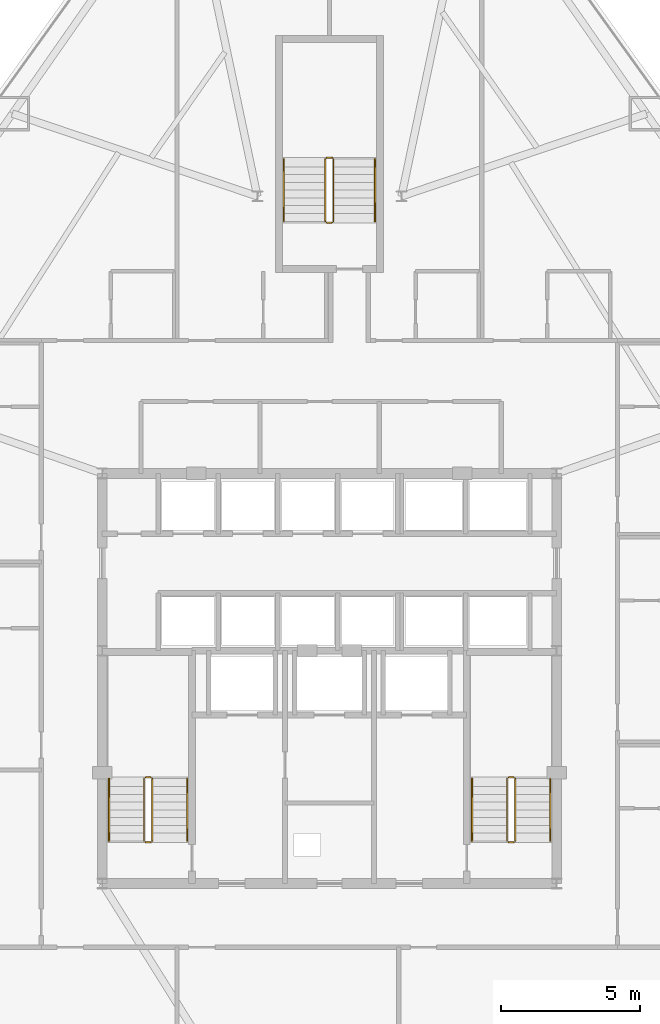
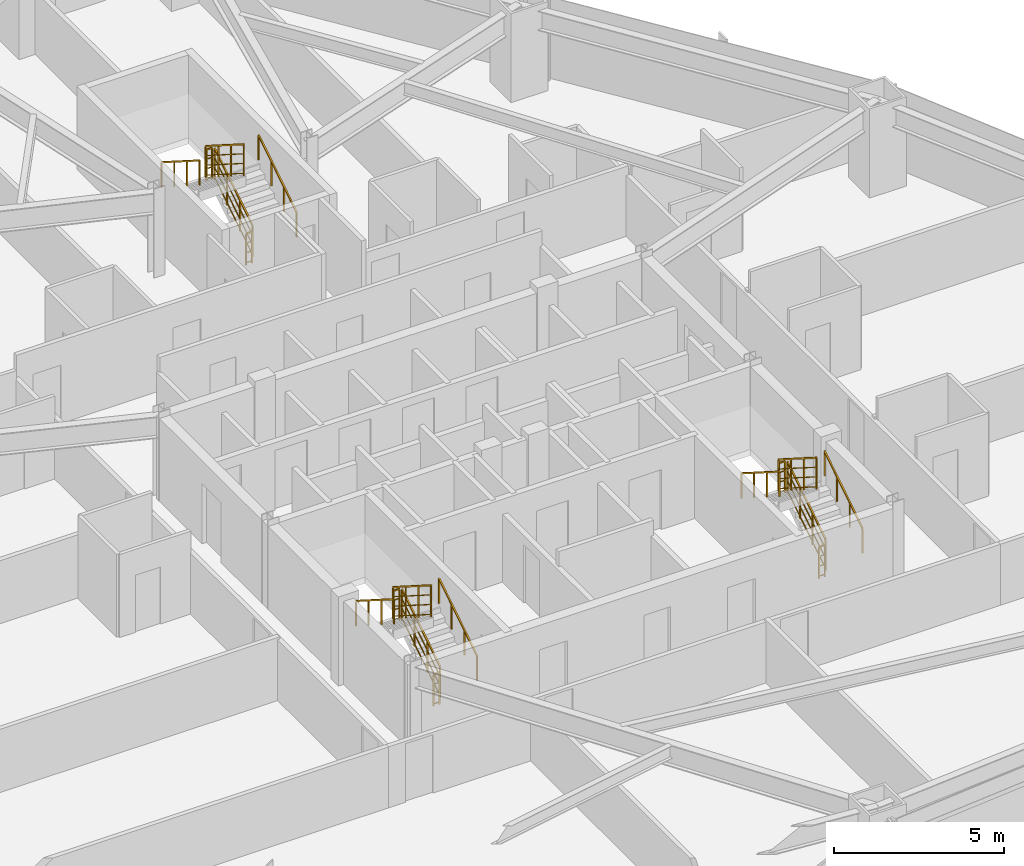
# One storey, part 12 of 12: 18 railings.
"""IFC4 building model written with IfcOpenShell, lengths in metres."""

from ifc_helpers import new_model, si_unit, direction, frame, origin, origin_2d, place, context, subcontext, project, spatial, rectangle, extrude, material, type_object, element, save


model = new_model("IFC4")

# Units and contexts
model_context = context("Model", 3, precision=1e-05, world=origin(), true_north=direction((0.0, 1.0)))
body_context = subcontext(model_context, "Body", "Model", "MODEL_VIEW")
ifc_project = project(units=[si_unit("LENGTHUNIT", "METRE"), si_unit("AREAUNIT", "SQUARE_METRE"), si_unit("VOLUMEUNIT", "CUBIC_METRE"), si_unit("PLANEANGLEUNIT", "RADIAN"), si_unit("MASSUNIT", "GRAM", prefix="KILO")], contexts=[model_context])

# Site, building, storey
site_placement = place(None, origin())
site = spatial("IfcSite", under=ifc_project, at=site_placement, CompositionType="ELEMENT")
building_placement = place(site_placement, origin())
building = spatial("IfcBuilding", under=site, at=building_placement, Name="Varakhsha Concourse Tower", CompositionType="ELEMENT")
storey_placement = place(building_placement, frame((0.0, 0.0, 33.60009765625)))
storey = spatial("IfcBuildingStorey", under=building, at=storey_placement, Name="L08", CompositionType="ELEMENT", Elevation=33.60009765625)

# Railings
ifc_material = material(Name="Brushed Austenitic Stainless Steel AISI 316", Category="steel")
railing_type_1 = type_object("IfcRailingType", Name="RL-STAIR-GUARD-1100", PredefinedType="GUARDRAIL", material=ifc_material)
railing_1_placement = place(storey_placement, frame((33.610107421875, 17.93994140625, 0.177734375)))
element("IfcRailing", 1, at=railing_1_placement, inside=storey, type_object=railing_type_1, Name="L08 ST1 stair guard 1", PredefinedType="GUARDRAIL", context=body_context, shape_type="SweptSolid", body=[
    extrude(rectangle(XDim=0.048095703125, YDim=0.048095703125, at=origin_2d()), frame((0.0, 0.0, 1.1259765625), z_axis=(0.0, 0.8442293374, 0.53598211339), x_axis=(-1.0, 0.0, 0.0)), (0.0, 0.0, 1.0), 2.6533203125),
    extrude(rectangle(XDim=0.028076171875, YDim=0.028076171875, at=origin_2d()), frame((0.0, 0.0, 0.080078125), z_axis=(0.0, 0.8442293374, 0.53598211339), x_axis=(-1.0, 0.0, 0.0)), (0.0, 0.0, 1.0), 2.6533203125),
    extrude(rectangle(XDim=0.028076171875, YDim=0.028076171875, at=origin_2d()), frame((0.0, 0.0, 0.43701171875), z_axis=(0.0, 0.8442293374, 0.53598211339), x_axis=(-1.0, 0.0, 0.0)), (0.0, 0.0, 1.0), 2.6533203125),
    extrude(rectangle(XDim=0.028076171875, YDim=0.028076171875, at=origin_2d()), frame((0.0, 0.0, 0.781982421875), z_axis=(0.0, 0.8442293374, 0.53598211339), x_axis=(-1.0, 0.0, 0.0)), (0.0, 0.0, 1.0), 2.6533203125),
    extrude(rectangle(XDim=0.0419921875, YDim=0.0419921875, at=origin_2d()), origin(), (0.0, 0.0, 1.0), 1.101806640625),
    extrude(rectangle(XDim=0.0419921875, YDim=0.0419921875, at=origin_2d()), frame((0.0, 0.74658203125, 0.47412109375)), (0.0, 0.0, 1.0), 1.101806640625),
    extrude(rectangle(XDim=0.0419921875, YDim=0.0419921875, at=origin_2d()), frame((0.0, 1.493408203125, 0.947998046875)), (0.0, 0.0, 1.0), 1.101806640625),
    extrude(rectangle(XDim=0.0419921875, YDim=0.0419921875, at=origin_2d()), frame((0.0, 2.239990234375, 1.422119140625)), (0.0, 0.0, 1.0), 1.101806640625),
])
railing_2_placement = place(storey_placement, frame((33.56005859375, 20.22998046875, 1.599853515625)))
element("IfcRailing", 2, at=railing_2_placement, inside=storey, type_object=railing_type_1, Name="L08 ST1 stair guard 2", PredefinedType="GUARDRAIL", context=body_context, shape_type="SweptSolid", body=[
    extrude(rectangle(XDim=0.048095703125, YDim=0.048095703125, at=origin_2d()), frame((0.0, 0.0, 1.1259765625), z_axis=(-1.0, 0.0, 0.0), x_axis=(0.0, -1.0, 0.0)), (0.0, 0.0, 1.0), 0.199951171875),
    extrude(rectangle(XDim=0.028076171875, YDim=0.028076171875, at=origin_2d()), frame((0.0, 0.0, 0.080078125), z_axis=(-1.0, 0.0, 0.0), x_axis=(0.0, -1.0, 0.0)), (0.0, 0.0, 1.0), 0.199951171875),
    extrude(rectangle(XDim=0.028076171875, YDim=0.028076171875, at=origin_2d()), frame((0.0, 0.0, 0.43701171875), z_axis=(-1.0, 0.0, 0.0), x_axis=(0.0, -1.0, 0.0)), (0.0, 0.0, 1.0), 0.199951171875),
    extrude(rectangle(XDim=0.028076171875, YDim=0.028076171875, at=origin_2d()), frame((0.0, 0.0, 0.781982421875), z_axis=(-1.0, 0.0, 0.0), x_axis=(0.0, -1.0, 0.0)), (0.0, 0.0, 1.0), 0.199951171875),
    extrude(rectangle(XDim=0.0419921875, YDim=0.0419921875, at=origin_2d()), origin(), (0.0, 0.0, 1.0), 1.101806640625),
    extrude(rectangle(XDim=0.0419921875, YDim=0.0419921875, at=origin_2d()), frame((-0.199951171875, 0.0, 0.0)), (0.0, 0.0, 1.0), 1.101806640625),
])
railing_3_placement = place(storey_placement, frame((33.31005859375, 20.179931640625, 1.777587890625)))
element("IfcRailing", 3, at=railing_3_placement, inside=storey, type_object=railing_type_1, Name="L08 ST1 stair guard 3", PredefinedType="GUARDRAIL", context=body_context, shape_type="SweptSolid", body=[
    extrude(rectangle(XDim=0.048095703125, YDim=0.048095703125, at=origin_2d()), frame((0.0, 0.0, 1.1259765625), z_axis=(0.0, -0.84418770128, 0.536047689118), x_axis=(1.0, 0.0, 0.0)), (0.0, 0.0, 1.0), 2.6533203125),
    extrude(rectangle(XDim=0.028076171875, YDim=0.028076171875, at=origin_2d()), frame((0.0, 0.0, 0.080078125), z_axis=(0.0, -0.84418770128, 0.536047689118), x_axis=(1.0, 0.0, 0.0)), (0.0, 0.0, 1.0), 2.6533203125),
    extrude(rectangle(XDim=0.028076171875, YDim=0.028076171875, at=origin_2d()), frame((0.0, 0.0, 0.43701171875), z_axis=(0.0, -0.84418770128, 0.536047689118), x_axis=(1.0, 0.0, 0.0)), (0.0, 0.0, 1.0), 2.6533203125),
    extrude(rectangle(XDim=0.028076171875, YDim=0.028076171875, at=origin_2d()), frame((0.0, 0.0, 0.781982421875), z_axis=(0.0, -0.84418770128, 0.536047689118), x_axis=(1.0, 0.0, 0.0)), (0.0, 0.0, 1.0), 2.6533203125),
    extrude(rectangle(XDim=0.0419921875, YDim=0.0419921875, at=origin_2d()), origin(), (0.0, 0.0, 1.0), 1.101806640625),
    extrude(rectangle(XDim=0.0419921875, YDim=0.0419921875, at=origin_2d()), frame((0.0, -0.74658203125, 0.47412109375)), (0.0, 0.0, 1.0), 1.101806640625),
    extrude(rectangle(XDim=0.0419921875, YDim=0.0419921875, at=origin_2d()), frame((0.0, -1.493408203125, 0.9482421875)), (0.0, 0.0, 1.0), 1.101806640625),
    extrude(rectangle(XDim=0.0419921875, YDim=0.0419921875, at=origin_2d()), frame((0.0, -2.239990234375, 1.42236328125)), (0.0, 0.0, 1.0), 1.101806640625),
])
railing_4_placement = place(storey_placement, frame((33.56005859375, 17.889892578125, 0.0)))
element("IfcRailing", 4, at=railing_4_placement, inside=storey, type_object=railing_type_1, Name="L08 ST1 stair guard 4", PredefinedType="GUARDRAIL", context=body_context, shape_type="SweptSolid", body=[
    extrude(rectangle(XDim=0.048095703125, YDim=0.048095703125, at=origin_2d()), frame((0.0, 0.0, 1.1259765625), z_axis=(-1.0, 0.0, 0.0), x_axis=(0.0, -1.0, 0.0)), (0.0, 0.0, 1.0), 0.199951171875),
    extrude(rectangle(XDim=0.028076171875, YDim=0.028076171875, at=origin_2d()), frame((0.0, 0.0, 0.080078125), z_axis=(-1.0, 0.0, 0.0), x_axis=(0.0, -1.0, 0.0)), (0.0, 0.0, 1.0), 0.199951171875),
    extrude(rectangle(XDim=0.028076171875, YDim=0.028076171875, at=origin_2d()), frame((0.0, 0.0, 0.43701171875), z_axis=(-1.0, 0.0, 0.0), x_axis=(0.0, -1.0, 0.0)), (0.0, 0.0, 1.0), 0.199951171875),
    extrude(rectangle(XDim=0.028076171875, YDim=0.028076171875, at=origin_2d()), frame((0.0, 0.0, 0.781982421875), z_axis=(-1.0, 0.0, 0.0), x_axis=(0.0, -1.0, 0.0)), (0.0, 0.0, 1.0), 0.199951171875),
    extrude(rectangle(XDim=0.0419921875, YDim=0.0419921875, at=origin_2d()), origin(), (0.0, 0.0, 1.0), 1.101806640625),
    extrude(rectangle(XDim=0.0419921875, YDim=0.0419921875, at=origin_2d()), frame((-0.199951171875, 0.0, 0.0)), (0.0, 0.0, 1.0), 1.101806640625),
])
railing_5_placement = place(storey_placement, frame((46.7099609375, 17.93994140625, 0.177734375)))
element("IfcRailing", 5, at=railing_5_placement, inside=storey, type_object=railing_type_1, Name="L08 ST2 stair guard 1", PredefinedType="GUARDRAIL", context=body_context, shape_type="SweptSolid", body=[
    extrude(rectangle(XDim=0.048095703125, YDim=0.048095703125, at=origin_2d()), frame((0.0, 0.0, 1.1259765625), z_axis=(0.0, 0.8442293374, 0.53598211339), x_axis=(-1.0, 0.0, 0.0)), (0.0, 0.0, 1.0), 2.6533203125),
    extrude(rectangle(XDim=0.028076171875, YDim=0.028076171875, at=origin_2d()), frame((0.0, 0.0, 0.080078125), z_axis=(0.0, 0.8442293374, 0.53598211339), x_axis=(-1.0, 0.0, 0.0)), (0.0, 0.0, 1.0), 2.6533203125),
    extrude(rectangle(XDim=0.028076171875, YDim=0.028076171875, at=origin_2d()), frame((0.0, 0.0, 0.43701171875), z_axis=(0.0, 0.8442293374, 0.53598211339), x_axis=(-1.0, 0.0, 0.0)), (0.0, 0.0, 1.0), 2.6533203125),
    extrude(rectangle(XDim=0.028076171875, YDim=0.028076171875, at=origin_2d()), frame((0.0, 0.0, 0.781982421875), z_axis=(0.0, 0.8442293374, 0.53598211339), x_axis=(-1.0, 0.0, 0.0)), (0.0, 0.0, 1.0), 2.6533203125),
    extrude(rectangle(XDim=0.0419921875, YDim=0.0419921875, at=origin_2d()), origin(), (0.0, 0.0, 1.0), 1.101806640625),
    extrude(rectangle(XDim=0.0419921875, YDim=0.0419921875, at=origin_2d()), frame((0.0, 0.74658203125, 0.47412109375)), (0.0, 0.0, 1.0), 1.101806640625),
    extrude(rectangle(XDim=0.0419921875, YDim=0.0419921875, at=origin_2d()), frame((0.0, 1.493408203125, 0.947998046875)), (0.0, 0.0, 1.0), 1.101806640625),
    extrude(rectangle(XDim=0.0419921875, YDim=0.0419921875, at=origin_2d()), frame((0.0, 2.239990234375, 1.422119140625)), (0.0, 0.0, 1.0), 1.101806640625),
])
railing_6_placement = place(storey_placement, frame((46.659912109375, 20.22998046875, 1.599853515625)))
element("IfcRailing", 6, at=railing_6_placement, inside=storey, type_object=railing_type_1, Name="L08 ST2 stair guard 2", PredefinedType="GUARDRAIL", context=body_context, shape_type="SweptSolid", body=[
    extrude(rectangle(XDim=0.048095703125, YDim=0.048095703125, at=origin_2d()), frame((0.0, 0.0, 1.1259765625), z_axis=(-1.0, 0.0, 0.0), x_axis=(0.0, -1.0, 0.0)), (0.0, 0.0, 1.0), 0.199951171875),
    extrude(rectangle(XDim=0.028076171875, YDim=0.028076171875, at=origin_2d()), frame((0.0, 0.0, 0.080078125), z_axis=(-1.0, 0.0, 0.0), x_axis=(0.0, -1.0, 0.0)), (0.0, 0.0, 1.0), 0.199951171875),
    extrude(rectangle(XDim=0.028076171875, YDim=0.028076171875, at=origin_2d()), frame((0.0, 0.0, 0.43701171875), z_axis=(-1.0, 0.0, 0.0), x_axis=(0.0, -1.0, 0.0)), (0.0, 0.0, 1.0), 0.199951171875),
    extrude(rectangle(XDim=0.028076171875, YDim=0.028076171875, at=origin_2d()), frame((0.0, 0.0, 0.781982421875), z_axis=(-1.0, 0.0, 0.0), x_axis=(0.0, -1.0, 0.0)), (0.0, 0.0, 1.0), 0.199951171875),
    extrude(rectangle(XDim=0.0419921875, YDim=0.0419921875, at=origin_2d()), origin(), (0.0, 0.0, 1.0), 1.101806640625),
    extrude(rectangle(XDim=0.0419921875, YDim=0.0419921875, at=origin_2d()), frame((-0.199951171875, 0.0, 0.0)), (0.0, 0.0, 1.0), 1.101806640625),
])
railing_7_placement = place(storey_placement, frame((46.409912109375, 20.179931640625, 1.777587890625)))
element("IfcRailing", 7, at=railing_7_placement, inside=storey, type_object=railing_type_1, Name="L08 ST2 stair guard 3", PredefinedType="GUARDRAIL", context=body_context, shape_type="SweptSolid", body=[
    extrude(rectangle(XDim=0.048095703125, YDim=0.048095703125, at=origin_2d()), frame((0.0, 0.0, 1.1259765625), z_axis=(0.0, -0.84418770128, 0.536047689118), x_axis=(1.0, 0.0, 0.0)), (0.0, 0.0, 1.0), 2.6533203125),
    extrude(rectangle(XDim=0.028076171875, YDim=0.028076171875, at=origin_2d()), frame((0.0, 0.0, 0.080078125), z_axis=(0.0, -0.84418770128, 0.536047689118), x_axis=(1.0, 0.0, 0.0)), (0.0, 0.0, 1.0), 2.6533203125),
    extrude(rectangle(XDim=0.028076171875, YDim=0.028076171875, at=origin_2d()), frame((0.0, 0.0, 0.43701171875), z_axis=(0.0, -0.84418770128, 0.536047689118), x_axis=(1.0, 0.0, 0.0)), (0.0, 0.0, 1.0), 2.6533203125),
    extrude(rectangle(XDim=0.028076171875, YDim=0.028076171875, at=origin_2d()), frame((0.0, 0.0, 0.781982421875), z_axis=(0.0, -0.84418770128, 0.536047689118), x_axis=(1.0, 0.0, 0.0)), (0.0, 0.0, 1.0), 2.6533203125),
    extrude(rectangle(XDim=0.0419921875, YDim=0.0419921875, at=origin_2d()), origin(), (0.0, 0.0, 1.0), 1.101806640625),
    extrude(rectangle(XDim=0.0419921875, YDim=0.0419921875, at=origin_2d()), frame((0.0, -0.74658203125, 0.47412109375)), (0.0, 0.0, 1.0), 1.101806640625),
    extrude(rectangle(XDim=0.0419921875, YDim=0.0419921875, at=origin_2d()), frame((0.0, -1.493408203125, 0.9482421875)), (0.0, 0.0, 1.0), 1.101806640625),
    extrude(rectangle(XDim=0.0419921875, YDim=0.0419921875, at=origin_2d()), frame((0.0, -2.239990234375, 1.42236328125)), (0.0, 0.0, 1.0), 1.101806640625),
])
railing_8_placement = place(storey_placement, frame((46.659912109375, 17.889892578125, 0.0)))
element("IfcRailing", 8, at=railing_8_placement, inside=storey, type_object=railing_type_1, Name="L08 ST2 stair guard 4", PredefinedType="GUARDRAIL", context=body_context, shape_type="SweptSolid", body=[
    extrude(rectangle(XDim=0.048095703125, YDim=0.048095703125, at=origin_2d()), frame((0.0, 0.0, 1.1259765625), z_axis=(-1.0, 0.0, 0.0), x_axis=(0.0, -1.0, 0.0)), (0.0, 0.0, 1.0), 0.199951171875),
    extrude(rectangle(XDim=0.028076171875, YDim=0.028076171875, at=origin_2d()), frame((0.0, 0.0, 0.080078125), z_axis=(-1.0, 0.0, 0.0), x_axis=(0.0, -1.0, 0.0)), (0.0, 0.0, 1.0), 0.199951171875),
    extrude(rectangle(XDim=0.028076171875, YDim=0.028076171875, at=origin_2d()), frame((0.0, 0.0, 0.43701171875), z_axis=(-1.0, 0.0, 0.0), x_axis=(0.0, -1.0, 0.0)), (0.0, 0.0, 1.0), 0.199951171875),
    extrude(rectangle(XDim=0.028076171875, YDim=0.028076171875, at=origin_2d()), frame((0.0, 0.0, 0.781982421875), z_axis=(-1.0, 0.0, 0.0), x_axis=(0.0, -1.0, 0.0)), (0.0, 0.0, 1.0), 0.199951171875),
    extrude(rectangle(XDim=0.0419921875, YDim=0.0419921875, at=origin_2d()), origin(), (0.0, 0.0, 1.0), 1.101806640625),
    extrude(rectangle(XDim=0.0419921875, YDim=0.0419921875, at=origin_2d()), frame((-0.199951171875, 0.0, 0.0)), (0.0, 0.0, 1.0), 1.101806640625),
])
railing_9_placement = place(storey_placement, frame((40.14990234375, 40.300048828125, 0.177734375)))
element("IfcRailing", 9, at=railing_9_placement, inside=storey, type_object=railing_type_1, Name="L08 ST5 stair guard 1", PredefinedType="GUARDRAIL", context=body_context, shape_type="SweptSolid", body=[
    extrude(rectangle(XDim=0.048095703125, YDim=0.048095703125, at=origin_2d()), frame((0.0, 0.0, 1.1259765625), z_axis=(0.0, 0.8442293374, 0.53598211339), x_axis=(-1.0, 0.0, 0.0)), (0.0, 0.0, 1.0), 2.6533203125),
    extrude(rectangle(XDim=0.028076171875, YDim=0.028076171875, at=origin_2d()), frame((0.0, 0.0, 0.080078125), z_axis=(0.0, 0.8442293374, 0.53598211339), x_axis=(-1.0, 0.0, 0.0)), (0.0, 0.0, 1.0), 2.6533203125),
    extrude(rectangle(XDim=0.028076171875, YDim=0.028076171875, at=origin_2d()), frame((0.0, 0.0, 0.43701171875), z_axis=(0.0, 0.8442293374, 0.53598211339), x_axis=(-1.0, 0.0, 0.0)), (0.0, 0.0, 1.0), 2.6533203125),
    extrude(rectangle(XDim=0.028076171875, YDim=0.028076171875, at=origin_2d()), frame((0.0, 0.0, 0.781982421875), z_axis=(0.0, 0.8442293374, 0.53598211339), x_axis=(-1.0, 0.0, 0.0)), (0.0, 0.0, 1.0), 2.6533203125),
    extrude(rectangle(XDim=0.0419921875, YDim=0.0419921875, at=origin_2d()), origin(), (0.0, 0.0, 1.0), 1.101806640625),
    extrude(rectangle(XDim=0.0419921875, YDim=0.0419921875, at=origin_2d()), frame((0.0, 0.74658203125, 0.47412109375)), (0.0, 0.0, 1.0), 1.101806640625),
    extrude(rectangle(XDim=0.0419921875, YDim=0.0419921875, at=origin_2d()), frame((0.0, 1.493408203125, 0.947998046875)), (0.0, 0.0, 1.0), 1.101806640625),
    extrude(rectangle(XDim=0.0419921875, YDim=0.0419921875, at=origin_2d()), frame((0.0, 2.239990234375, 1.422119140625)), (0.0, 0.0, 1.0), 1.101806640625),
])
railing_10_placement = place(storey_placement, frame((40.10009765625, 42.590087890625, 1.599853515625)))
element("IfcRailing", 10, at=railing_10_placement, inside=storey, type_object=railing_type_1, Name="L08 ST5 stair guard 2", PredefinedType="GUARDRAIL", context=body_context, shape_type="SweptSolid", body=[
    extrude(rectangle(XDim=0.048095703125, YDim=0.048095703125, at=origin_2d()), frame((0.0, 0.0, 1.1259765625), z_axis=(-1.0, 0.0, 0.0), x_axis=(0.0, -1.0, 0.0)), (0.0, 0.0, 1.0), 0.2001953125),
    extrude(rectangle(XDim=0.028076171875, YDim=0.028076171875, at=origin_2d()), frame((0.0, 0.0, 0.080078125), z_axis=(-1.0, 0.0, 0.0), x_axis=(0.0, -1.0, 0.0)), (0.0, 0.0, 1.0), 0.2001953125),
    extrude(rectangle(XDim=0.028076171875, YDim=0.028076171875, at=origin_2d()), frame((0.0, 0.0, 0.43701171875), z_axis=(-1.0, 0.0, 0.0), x_axis=(0.0, -1.0, 0.0)), (0.0, 0.0, 1.0), 0.2001953125),
    extrude(rectangle(XDim=0.028076171875, YDim=0.028076171875, at=origin_2d()), frame((0.0, 0.0, 0.781982421875), z_axis=(-1.0, 0.0, 0.0), x_axis=(0.0, -1.0, 0.0)), (0.0, 0.0, 1.0), 0.2001953125),
    extrude(rectangle(XDim=0.0419921875, YDim=0.0419921875, at=origin_2d()), origin(), (0.0, 0.0, 1.0), 1.101806640625),
    extrude(rectangle(XDim=0.0419921875, YDim=0.0419921875, at=origin_2d()), frame((-0.2001953125, 0.0, 0.0)), (0.0, 0.0, 1.0), 1.101806640625),
])
railing_11_placement = place(storey_placement, frame((39.85009765625, 42.5400390625, 1.777587890625)))
element("IfcRailing", 11, at=railing_11_placement, inside=storey, type_object=railing_type_1, Name="L08 ST5 stair guard 3", PredefinedType="GUARDRAIL", context=body_context, shape_type="SweptSolid", body=[
    extrude(rectangle(XDim=0.048095703125, YDim=0.048095703125, at=origin_2d()), frame((0.0, 0.0, 1.1259765625), z_axis=(0.0, -0.84418770128, 0.536047689118), x_axis=(1.0, 0.0, 0.0)), (0.0, 0.0, 1.0), 2.6533203125),
    extrude(rectangle(XDim=0.028076171875, YDim=0.028076171875, at=origin_2d()), frame((0.0, 0.0, 0.080078125), z_axis=(0.0, -0.84418770128, 0.536047689118), x_axis=(1.0, 0.0, 0.0)), (0.0, 0.0, 1.0), 2.6533203125),
    extrude(rectangle(XDim=0.028076171875, YDim=0.028076171875, at=origin_2d()), frame((0.0, 0.0, 0.43701171875), z_axis=(0.0, -0.84418770128, 0.536047689118), x_axis=(1.0, 0.0, 0.0)), (0.0, 0.0, 1.0), 2.6533203125),
    extrude(rectangle(XDim=0.028076171875, YDim=0.028076171875, at=origin_2d()), frame((0.0, 0.0, 0.781982421875), z_axis=(0.0, -0.84418770128, 0.536047689118), x_axis=(1.0, 0.0, 0.0)), (0.0, 0.0, 1.0), 2.6533203125),
    extrude(rectangle(XDim=0.0419921875, YDim=0.0419921875, at=origin_2d()), origin(), (0.0, 0.0, 1.0), 1.101806640625),
    extrude(rectangle(XDim=0.0419921875, YDim=0.0419921875, at=origin_2d()), frame((0.0, -0.74658203125, 0.47412109375)), (0.0, 0.0, 1.0), 1.101806640625),
    extrude(rectangle(XDim=0.0419921875, YDim=0.0419921875, at=origin_2d()), frame((0.0, -1.493408203125, 0.9482421875)), (0.0, 0.0, 1.0), 1.101806640625),
    extrude(rectangle(XDim=0.0419921875, YDim=0.0419921875, at=origin_2d()), frame((0.0, -2.239990234375, 1.42236328125)), (0.0, 0.0, 1.0), 1.101806640625),
])
railing_12_placement = place(storey_placement, frame((40.10009765625, 40.25, 0.0)))
element("IfcRailing", 12, at=railing_12_placement, inside=storey, type_object=railing_type_1, Name="L08 ST5 stair guard 4", PredefinedType="GUARDRAIL", context=body_context, shape_type="SweptSolid", body=[
    extrude(rectangle(XDim=0.048095703125, YDim=0.048095703125, at=origin_2d()), frame((0.0, 0.0, 1.1259765625), z_axis=(-1.0, 0.0, 0.0), x_axis=(0.0, -1.0, 0.0)), (0.0, 0.0, 1.0), 0.2001953125),
    extrude(rectangle(XDim=0.028076171875, YDim=0.028076171875, at=origin_2d()), frame((0.0, 0.0, 0.080078125), z_axis=(-1.0, 0.0, 0.0), x_axis=(0.0, -1.0, 0.0)), (0.0, 0.0, 1.0), 0.2001953125),
    extrude(rectangle(XDim=0.028076171875, YDim=0.028076171875, at=origin_2d()), frame((0.0, 0.0, 0.43701171875), z_axis=(-1.0, 0.0, 0.0), x_axis=(0.0, -1.0, 0.0)), (0.0, 0.0, 1.0), 0.2001953125),
    extrude(rectangle(XDim=0.028076171875, YDim=0.028076171875, at=origin_2d()), frame((0.0, 0.0, 0.781982421875), z_axis=(-1.0, 0.0, 0.0), x_axis=(0.0, -1.0, 0.0)), (0.0, 0.0, 1.0), 0.2001953125),
    extrude(rectangle(XDim=0.0419921875, YDim=0.0419921875, at=origin_2d()), origin(), (0.0, 0.0, 1.0), 1.101806640625),
    extrude(rectangle(XDim=0.0419921875, YDim=0.0419921875, at=origin_2d()), frame((-0.2001953125, 0.0, 0.0)), (0.0, 0.0, 1.0), 1.101806640625),
])
railing_type_2 = type_object("IfcRailingType", Name="RL-STAIR-RAIL-915", PredefinedType="HANDRAIL", material=ifc_material)
railing_13_placement = place(storey_placement, frame((34.8701171875, 17.93994140625, 0.35546875)))
element("IfcRailing", 13, at=railing_13_placement, inside=storey, type_object=railing_type_2, Name="L08 ST1 stair handrail 1", PredefinedType="HANDRAIL", context=body_context, shape_type="SweptSolid", body=[
    extrude(rectangle(XDim=0.048095703125, YDim=0.048095703125, at=origin_2d()), frame((0.0, 0.0, 0.89111328125), z_axis=(0.0, 0.8442293374, 0.53598211339), x_axis=(-1.0, 0.0, 0.0)), (0.0, 0.0, 1.0), 2.6533203125),
    extrude(rectangle(XDim=0.0419921875, YDim=0.0419921875, at=origin_2d()), origin(), (0.0, 0.0, 1.0), 0.866943359375),
    extrude(rectangle(XDim=0.0419921875, YDim=0.0419921875, at=origin_2d()), frame((0.0, 0.74658203125, 0.47412109375)), (0.0, 0.0, 1.0), 0.866943359375),
    extrude(rectangle(XDim=0.0419921875, YDim=0.0419921875, at=origin_2d()), frame((0.0, 1.493408203125, 0.947998046875)), (0.0, 0.0, 1.0), 0.866943359375),
    extrude(rectangle(XDim=0.0419921875, YDim=0.0419921875, at=origin_2d()), frame((0.0, 2.239990234375, 1.422119140625)), (0.0, 0.0, 1.0), 0.866943359375),
])
railing_14_placement = place(storey_placement, frame((32.050048828125, 20.179931640625, 1.95556640625)))
element("IfcRailing", 14, at=railing_14_placement, inside=storey, type_object=railing_type_2, Name="L08 ST1 stair handrail 2", PredefinedType="HANDRAIL", context=body_context, shape_type="SweptSolid", body=[
    extrude(rectangle(XDim=0.048095703125, YDim=0.048095703125, at=origin_2d()), frame((0.0, 0.0, 0.89111328125), z_axis=(0.0, -0.8442293374, 0.53598211339), x_axis=(1.0, 0.0, 0.0)), (0.0, 0.0, 1.0), 2.6533203125),
    extrude(rectangle(XDim=0.0419921875, YDim=0.0419921875, at=origin_2d()), origin(), (0.0, 0.0, 1.0), 0.866943359375),
    extrude(rectangle(XDim=0.0419921875, YDim=0.0419921875, at=origin_2d()), frame((0.0, -0.74658203125, 0.47412109375)), (0.0, 0.0, 1.0), 0.866943359375),
    extrude(rectangle(XDim=0.0419921875, YDim=0.0419921875, at=origin_2d()), frame((0.0, -1.493408203125, 0.947998046875)), (0.0, 0.0, 1.0), 0.866943359375),
    extrude(rectangle(XDim=0.0419921875, YDim=0.0419921875, at=origin_2d()), frame((0.0, -2.239990234375, 1.422119140625)), (0.0, 0.0, 1.0), 0.866943359375),
])
railing_15_placement = place(storey_placement, frame((47.969970703125, 17.93994140625, 0.35546875)))
element("IfcRailing", 15, at=railing_15_placement, inside=storey, type_object=railing_type_2, Name="L08 ST2 stair handrail 1", PredefinedType="HANDRAIL", context=body_context, shape_type="SweptSolid", body=[
    extrude(rectangle(XDim=0.048095703125, YDim=0.048095703125, at=origin_2d()), frame((0.0, 0.0, 0.89111328125), z_axis=(0.0, 0.8442293374, 0.53598211339), x_axis=(-1.0, 0.0, 0.0)), (0.0, 0.0, 1.0), 2.6533203125),
    extrude(rectangle(XDim=0.0419921875, YDim=0.0419921875, at=origin_2d()), origin(), (0.0, 0.0, 1.0), 0.866943359375),
    extrude(rectangle(XDim=0.0419921875, YDim=0.0419921875, at=origin_2d()), frame((0.0, 0.74658203125, 0.47412109375)), (0.0, 0.0, 1.0), 0.866943359375),
    extrude(rectangle(XDim=0.0419921875, YDim=0.0419921875, at=origin_2d()), frame((0.0, 1.493408203125, 0.947998046875)), (0.0, 0.0, 1.0), 0.866943359375),
    extrude(rectangle(XDim=0.0419921875, YDim=0.0419921875, at=origin_2d()), frame((0.0, 2.239990234375, 1.422119140625)), (0.0, 0.0, 1.0), 0.866943359375),
])
railing_16_placement = place(storey_placement, frame((45.14990234375, 20.179931640625, 1.95556640625)))
element("IfcRailing", 16, at=railing_16_placement, inside=storey, type_object=railing_type_2, Name="L08 ST2 stair handrail 2", PredefinedType="HANDRAIL", context=body_context, shape_type="SweptSolid", body=[
    extrude(rectangle(XDim=0.048095703125, YDim=0.048095703125, at=origin_2d()), frame((0.0, 0.0, 0.89111328125), z_axis=(0.0, -0.8442293374, 0.53598211339), x_axis=(1.0, 0.0, 0.0)), (0.0, 0.0, 1.0), 2.6533203125),
    extrude(rectangle(XDim=0.0419921875, YDim=0.0419921875, at=origin_2d()), origin(), (0.0, 0.0, 1.0), 0.866943359375),
    extrude(rectangle(XDim=0.0419921875, YDim=0.0419921875, at=origin_2d()), frame((0.0, -0.74658203125, 0.47412109375)), (0.0, 0.0, 1.0), 0.866943359375),
    extrude(rectangle(XDim=0.0419921875, YDim=0.0419921875, at=origin_2d()), frame((0.0, -1.493408203125, 0.947998046875)), (0.0, 0.0, 1.0), 0.866943359375),
    extrude(rectangle(XDim=0.0419921875, YDim=0.0419921875, at=origin_2d()), frame((0.0, -2.239990234375, 1.422119140625)), (0.0, 0.0, 1.0), 0.866943359375),
])
railing_17_placement = place(storey_placement, frame((41.64990234375, 40.300048828125, 0.35546875)))
element("IfcRailing", 17, at=railing_17_placement, inside=storey, type_object=railing_type_2, Name="L08 ST5 stair handrail 1", PredefinedType="HANDRAIL", context=body_context, shape_type="SweptSolid", body=[
    extrude(rectangle(XDim=0.048095703125, YDim=0.048095703125, at=origin_2d()), frame((0.0, 0.0, 0.89111328125), z_axis=(0.0, 0.8442293374, 0.53598211339), x_axis=(-1.0, 0.0, 0.0)), (0.0, 0.0, 1.0), 2.6533203125),
    extrude(rectangle(XDim=0.0419921875, YDim=0.0419921875, at=origin_2d()), origin(), (0.0, 0.0, 1.0), 0.866943359375),
    extrude(rectangle(XDim=0.0419921875, YDim=0.0419921875, at=origin_2d()), frame((0.0, 0.74658203125, 0.47412109375)), (0.0, 0.0, 1.0), 0.866943359375),
    extrude(rectangle(XDim=0.0419921875, YDim=0.0419921875, at=origin_2d()), frame((0.0, 1.493408203125, 0.947998046875)), (0.0, 0.0, 1.0), 0.866943359375),
    extrude(rectangle(XDim=0.0419921875, YDim=0.0419921875, at=origin_2d()), frame((0.0, 2.239990234375, 1.422119140625)), (0.0, 0.0, 1.0), 0.866943359375),
])
railing_18_placement = place(storey_placement, frame((38.35009765625, 42.5400390625, 1.95556640625)))
element("IfcRailing", 18, at=railing_18_placement, inside=storey, type_object=railing_type_2, Name="L08 ST5 stair handrail 2", PredefinedType="HANDRAIL", context=body_context, shape_type="SweptSolid", body=[
    extrude(rectangle(XDim=0.048095703125, YDim=0.048095703125, at=origin_2d()), frame((0.0, 0.0, 0.89111328125), z_axis=(0.0, -0.8442293374, 0.53598211339), x_axis=(1.0, 0.0, 0.0)), (0.0, 0.0, 1.0), 2.6533203125),
    extrude(rectangle(XDim=0.0419921875, YDim=0.0419921875, at=origin_2d()), origin(), (0.0, 0.0, 1.0), 0.866943359375),
    extrude(rectangle(XDim=0.0419921875, YDim=0.0419921875, at=origin_2d()), frame((0.0, -0.74658203125, 0.47412109375)), (0.0, 0.0, 1.0), 0.866943359375),
    extrude(rectangle(XDim=0.0419921875, YDim=0.0419921875, at=origin_2d()), frame((0.0, -1.493408203125, 0.947998046875)), (0.0, 0.0, 1.0), 0.866943359375),
    extrude(rectangle(XDim=0.0419921875, YDim=0.0419921875, at=origin_2d()), frame((0.0, -2.239990234375, 1.422119140625)), (0.0, 0.0, 1.0), 0.866943359375),
])

save(model, "model.ifc")
